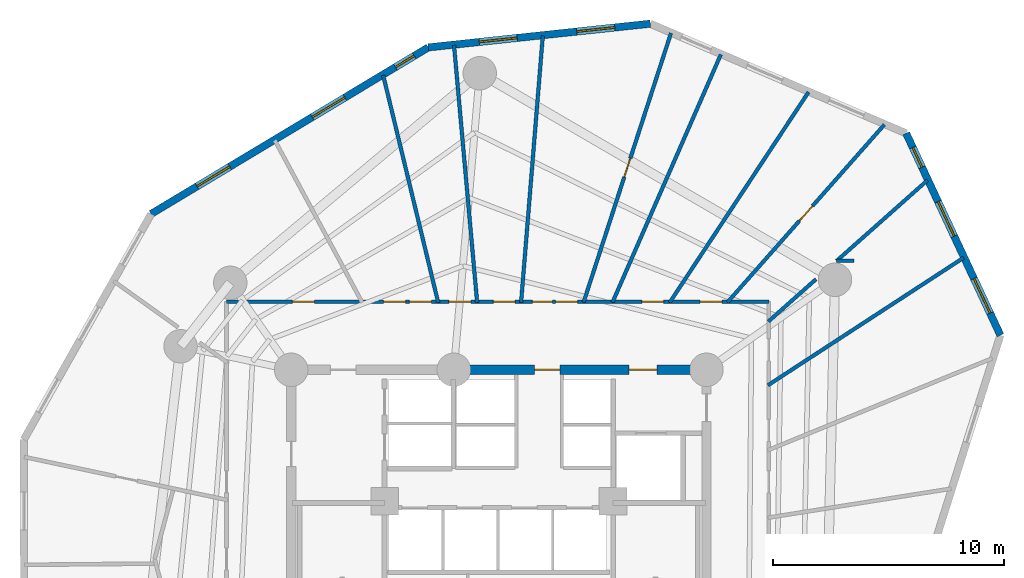
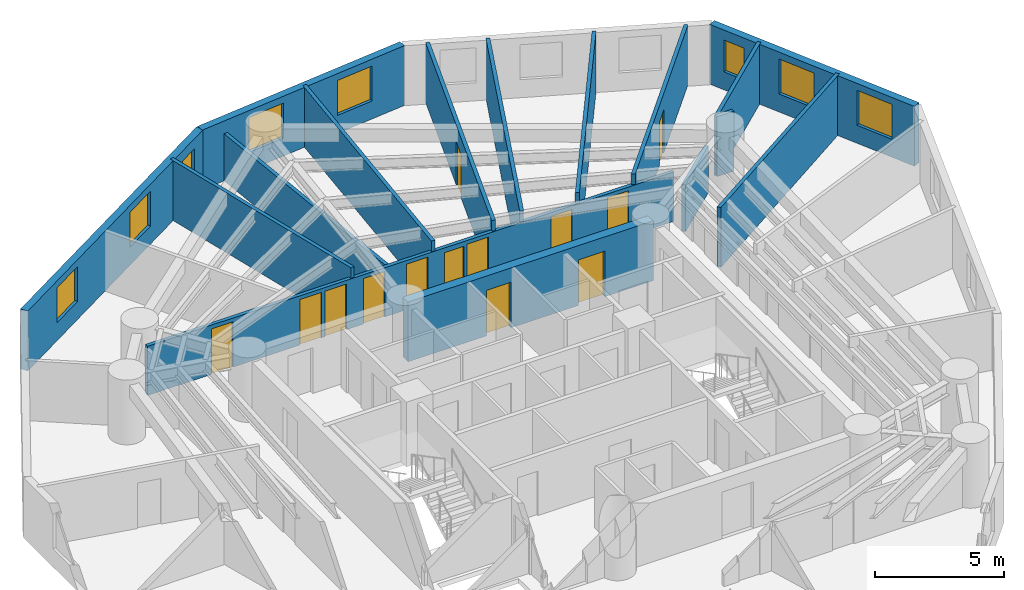
# One storey, part 6 of 8: 16 walls, 13 doors, 8 windows, 21 openings.
"""IFC4 building model written with IfcOpenShell, lengths in metres."""

import ifcopenshell
import ifcopenshell.guid

model = None  # the IFC model being written
_history = None  # IfcOwnerHistory: only IFC2X3 demands one
_inside = {}  # id of a spatial element -> (the spatial element, [elements in it])
_under = {}  # id of a project, library or spatial element -> (it, [spatial elements below it])
_declared = {}  # id of a project -> (the project, [libraries it declares])
_typed = {}  # id of a type object -> (the type object, [elements of that type])
_made_of = {}  # id of a material, layer set ... -> (it, [elements and type objects made of it])


def new_model(schema):
    """Start an empty IFC model of exactly this schema.

    Asked for "IFC4X3", IfcOpenShell would pick the latest addendum, in which some entities
    have other attributes; the version numbers below select the first issue.
    IFC2X3 requires an IfcOwnerHistory on every rooted entity: one is made here for all.
    """
    global model, _history
    if schema == "IFC4X3":
        model = ifcopenshell.file(schema_version=(4, 3, 0, 0))
    else:
        model = ifcopenshell.file(schema=schema)
    _inside.clear()
    _under.clear()
    _declared.clear()
    _typed.clear()
    _made_of.clear()
    _history = None
    if model.schema == "IFC2X3":
        org = make("IfcOrganization", Name="unknown")
        user = make(
            "IfcPersonAndOrganization",
            ThePerson=make("IfcPerson", FamilyName="unknown"),
            TheOrganization=org,
        )
        app = make(
            "IfcApplication",
            ApplicationDeveloper=org,
            Version="unknown",
            ApplicationFullName="unknown",
            ApplicationIdentifier="unknown",
        )
        _history = make(
            "IfcOwnerHistory",
            OwningUser=user,
            OwningApplication=app,
            ChangeAction="ADDED",
            CreationDate=0,
        )
    return model


def make(cls, **values):
    """One entity of the class cls with the attributes given. An attribute that is None is left unset."""
    return model.create_entity(
        cls, **{name: value for name, value in values.items() if value is not None}
    )


def rooted(cls, **values):
    """An entity with a GlobalId (a new one), such as an element, a storey or a relation."""
    return make(cls, GlobalId=ifcopenshell.guid.new(), OwnerHistory=_history, **values)


def si_unit(unit_type, name, prefix=None):
    """IfcSIUnit, for example si_unit("LENGTHUNIT", "METRE", prefix="MILLI")."""
    return make("IfcSIUnit", UnitType=unit_type, Prefix=prefix, Name=name)


def assignment(units):
    """IfcUnitAssignment: the units of a project."""
    return None if units is None else make("IfcUnitAssignment", Units=units)


def point(xyz):
    """IfcCartesianPoint."""
    return None if xyz is None else make("IfcCartesianPoint", Coordinates=xyz)


def direction(xyz):
    """IfcDirection."""
    return None if xyz is None else make("IfcDirection", DirectionRatios=xyz)


def frame(location, z_axis=None, x_axis=None):
    """IfcAxis2Placement3D, a coordinate frame: its origin and axes. An axis left out is left unset."""
    return make(
        "IfcAxis2Placement3D",
        Location=point(location),
        Axis=direction(z_axis),
        RefDirection=direction(x_axis),
    )


def frame_2d(location, x_axis=None):
    """IfcAxis2Placement2D, a coordinate frame in the plane: its origin and x axis."""
    return make(
        "IfcAxis2Placement2D", Location=point(location), RefDirection=direction(x_axis)
    )


def origin():
    """The frame at (0, 0, 0) with its axes left unset."""
    return frame((0.0, 0.0, 0.0))


def origin_with_axes():
    """The frame at (0, 0, 0) with the z axis (0, 0, 1) and the x axis (1, 0, 0) written out."""
    return frame((0.0, 0.0, 0.0), z_axis=(0.0, 0.0, 1.0), x_axis=(1.0, 0.0, 0.0))


def place(relative_to, where):
    """IfcLocalPlacement: puts the frame where relative to a parent placement (None: the world)."""
    return make(
        "IfcLocalPlacement", PlacementRelTo=relative_to, RelativePlacement=where
    )


def context(
    kind, dimensions, precision=None, world=None, true_north=None, identifier=None
):
    """IfcGeometricRepresentationContext, for example the 3D "Model" context."""
    return make(
        "IfcGeometricRepresentationContext",
        ContextIdentifier=identifier,
        ContextType=kind,
        CoordinateSpaceDimension=dimensions,
        Precision=precision,
        WorldCoordinateSystem=world,
        TrueNorth=true_north,
    )


def subcontext(parent, identifier, kind, view, scale=None):
    """IfcGeometricRepresentationSubContext, for example "Body" below "Model"."""
    return make(
        "IfcGeometricRepresentationSubContext",
        ContextIdentifier=identifier,
        ContextType=kind,
        ParentContext=parent,
        TargetScale=scale,
        TargetView=view,
    )


def project(units=None, contexts=None):
    """IfcProject with its units and contexts."""
    return rooted(
        "IfcProject",
        Name="project",
        RepresentationContexts=contexts,
        UnitsInContext=assignment(units),
    )


def spatial(cls, under=None, at=None, **own):
    """A site, building, storey or space (cls), placed at a placement, below another one or the project."""
    s = rooted(cls, ObjectPlacement=at, **own)
    if under is not None:
        _under.setdefault(under.id(), (under, []))[1].append(s)
    return s


def profile(cls, at=None, kind="AREA", **sizes):
    """A parametric profile (cls). Its sizes go by their IFC names, for example OverallWidth=200.0."""
    return make(cls, ProfileType=kind, Position=at, **sizes)


def rectangle(**sizes):
    """IfcRectangleProfileDef."""
    return profile("IfcRectangleProfileDef", **sizes)


def extrude(swept, where, along, depth):
    """IfcExtrudedAreaSolid: the profile swept, set in the frame where, extruded along a direction by depth."""
    return make(
        "IfcExtrudedAreaSolid",
        SweptArea=swept,
        Position=where,
        ExtrudedDirection=direction(along),
        Depth=depth,
    )


def shape(context_of_items, identifier, shape_type, items):
    """IfcShapeRepresentation: the items that make up one representation, for example the "Body"."""
    return make(
        "IfcShapeRepresentation",
        ContextOfItems=context_of_items,
        RepresentationIdentifier=identifier,
        RepresentationType=shape_type,
        Items=items,
    )


def source(mapping_origin, context_of_items, identifier, shape_type, items):
    """IfcRepresentationMap: a shape defined once, which mapped items show again and again."""
    return make(
        "IfcRepresentationMap",
        MappingOrigin=mapping_origin,
        MappedRepresentation=shape(context_of_items, identifier, shape_type, items),
    )


def transform(
    local_origin,
    x_axis=None,
    y_axis=None,
    z_axis=None,
    scale=None,
    scale2=None,
    scale3=None,
    uniform=True,
):
    """IfcCartesianTransformationOperator3D, or its non-uniform kind. x_axis, y_axis, z_axis: its Axis1, 2, 3."""
    if uniform:
        return make(
            "IfcCartesianTransformationOperator3D",
            Axis1=direction(x_axis),
            Axis2=direction(y_axis),
            LocalOrigin=point(local_origin),
            Scale=scale,
            Axis3=direction(z_axis),
        )
    return make(
        "IfcCartesianTransformationOperator3DnonUniform",
        Axis1=direction(x_axis),
        Axis2=direction(y_axis),
        LocalOrigin=point(local_origin),
        Scale=scale,
        Axis3=direction(z_axis),
        Scale2=scale2,
        Scale3=scale3,
    )


def mapped(mapping_source, mapping_target):
    """IfcMappedItem: shows the shape of a source again, moved by a transform."""
    return make(
        "IfcMappedItem", MappingSource=mapping_source, MappingTarget=mapping_target
    )


def material(Name=None, Category=None):
    """IfcMaterial."""
    return make("IfcMaterial", Name=Name, Category=Category)


def layer(
    of_material, thickness, ventilated=None, Name=None, Category=None, Priority=None
):
    """IfcMaterialLayer: one layer of a wall or slab, of a material (None: an air gap)."""
    return make(
        "IfcMaterialLayer",
        Material=of_material,
        LayerThickness=thickness,
        IsVentilated=ventilated,
        Name=Name,
        Category=Category,
        Priority=Priority,
    )


def layer_set(layers, Name=None):
    """IfcMaterialLayerSet."""
    return make("IfcMaterialLayerSet", MaterialLayers=layers, LayerSetName=Name)


def made_of(thing, what):
    """Note that an element or type object is made of a material, layer set ...; save() writes the relation."""
    if what is not None:
        _made_of.setdefault(what.id(), (what, []))[1].append(thing)
    return thing


def type_object(cls, material=None, **own):
    """A type object (cls), such as IfcWallType, which elements share."""
    return made_of(rooted(cls, **own), material)


def element(
    cls,
    number,
    at=None,
    inside=None,
    cuts=None,
    type_object=None,
    material=None,
    context=None,
    identifier="Body",
    shape_type=None,
    held_by="IfcProductDefinitionShape",
    body=None,
    shapes=None,
    **own,
):
    """One element of the class cls, such as IfcWall. Its Tag is "e" and its number.

    at: its placement. inside: the storey or other place that contains it. cuts: it is an
    opening in that element (IfcRelVoidsElement). A single representation is given by context,
    identifier, shape_type and body (its items); several are given by shapes. held_by: the class
    of the entity that holds the representations. save() writes the other relations.
    """
    e = rooted(cls, Tag="e%d" % number, ObjectPlacement=at, **own)
    if body is not None:
        shapes = [shape(context, identifier, shape_type, body)]
    if shapes is not None:
        e.Representation = make(held_by, Representations=shapes)
    if inside is not None:
        _inside.setdefault(inside.id(), (inside, []))[1].append(e)
    if cuts is not None:
        rooted(
            "IfcRelVoidsElement", RelatingBuildingElement=cuts, RelatedOpeningElement=e
        )
    if type_object is not None:
        _typed.setdefault(type_object.id(), (type_object, []))[1].append(e)
    return made_of(e, material)


def fill(opening, filler):
    """IfcRelFillsElement: the door or window that sits in an opening."""
    return rooted(
        "IfcRelFillsElement",
        RelatingOpeningElement=opening,
        RelatedBuildingElement=filler,
    )


def aggregate(whole, parts):
    """IfcRelAggregates: a whole, such as a stair, and the parts it consists of."""
    return rooted("IfcRelAggregates", RelatingObject=whole, RelatedObjects=parts)


def save(model, path):
    """Write the relations noted so far, then the file.

    IfcRelAggregates (storeys below a building ...), IfcRelContainedInSpatialStructure (elements
    in a storey), IfcRelDefinesByType, IfcRelAssociatesMaterial and IfcRelDeclares: one each for
    every whole, place, type object, material and project.
    """
    for whole, parts in _under.values():
        aggregate(whole, parts)
    for where, things in _inside.values():
        rooted(
            "IfcRelContainedInSpatialStructure",
            RelatedElements=things,
            RelatingStructure=where,
        )
    for kind, things in _typed.values():
        rooted("IfcRelDefinesByType", RelatedObjects=things, RelatingType=kind)
    for what, things in _made_of.values():
        rooted("IfcRelAssociatesMaterial", RelatedObjects=things, RelatingMaterial=what)
    for by, libraries in _declared.values():
        rooted("IfcRelDeclares", RelatingContext=by, RelatedDefinitions=libraries)
    model.write(path)


model = new_model("IFC4")

# Units and contexts
model_context = context("Model", 3, precision=1e-05, world=origin(), true_north=direction((0.0, 1.0)))
body_context = subcontext(model_context, "Body", "Model", "MODEL_VIEW")
ifc_project = project(units=[si_unit("LENGTHUNIT", "METRE"), si_unit("AREAUNIT", "SQUARE_METRE"), si_unit("VOLUMEUNIT", "CUBIC_METRE"), si_unit("PLANEANGLEUNIT", "RADIAN"), si_unit("MASSUNIT", "GRAM", prefix="KILO")], contexts=[model_context])

# Site, building, storey
site_placement = place(None, origin())
site = spatial("IfcSite", under=ifc_project, at=site_placement, CompositionType="ELEMENT")
building_placement = place(site_placement, origin())
building = spatial("IfcBuilding", under=site, at=building_placement, Name="Karkom Vertical University and Central Library", CompositionType="ELEMENT")
storey_placement = place(building_placement, frame((0.0, 0.0, 114.5)))
storey = spatial("IfcBuildingStorey", under=building, at=storey_placement, Name="L31", CompositionType="ELEMENT", Elevation=114.5)

# Wall, openings, windows
ifc_material_1 = material(Name="Brick-faced precast concrete C45/55", Category="masonry")
ifc_layer_1 = layer(ifc_material_1, 0.320068359375)
ifc_layer_set_1 = layer_set([ifc_layer_1], Name="Brick-faced precast concrete C45/55")
wall_type_1 = type_object("IfcWallType", Name="ENV-WL-BRK-320", PredefinedType="SOLIDWALL", material=ifc_layer_set_1)
wall_1_placement = place(storey_placement, frame((50.241455078125, 36.195556640625, 0.0), z_axis=(0.0, 0.0, 1.0), x_axis=(-0.422965695065, 0.906145695127, 0.0)))
wall_1 = element("IfcWall", 1, at=wall_1_placement, inside=storey, type_object=wall_type_1, Name="Level 31 Brick-Faced Precast Facade Wall 09", PredefinedType="SOLIDWALL", context=body_context, shape_type="SweptSolid", body=[
    extrude(rectangle(XDim=9.661865234375, YDim=0.320068359375, at=frame_2d((4.8310546875, 0.0))), origin(), (0.0, 0.0, 1.0), 2.824951171875),
])
opening_1_placement = place(wall_1_placement, frame((1.062744140625, 0.0, 0.85009765625)))
opening_1 = element("IfcOpeningElement", 2, at=opening_1_placement, cuts=wall_1, Name="Opening WN-06", PredefinedType="OPENING", context=body_context, shape_type="SweptSolid", body=[
    extrude(rectangle(XDim=1.64990234375, YDim=1.64990234375, at=frame_2d((0.824951171875, 0.824951171875))), frame((0.0, 0.169921875, 0.0), z_axis=(0.0, -1.0, 0.0), x_axis=(1.0, 0.0, 0.0)), (0.0, 0.0, 1.0), 0.340087890625),
])
opening_2_placement = place(wall_1_placement, frame((4.739990234375, 0.0, 0.85009765625)))
opening_2 = element("IfcOpeningElement", 3, at=opening_2_placement, cuts=wall_1, Name="Opening WN-06", PredefinedType="OPENING", context=body_context, shape_type="SweptSolid", body=[
    extrude(rectangle(XDim=1.64990234375, YDim=1.64990234375, at=frame_2d((0.824951171875, 0.824951171875))), frame((0.0, 0.169921875, 0.0), z_axis=(0.0, -1.0, 0.0), x_axis=(1.0, 0.0, 0.0)), (0.0, 0.0, 1.0), 0.340087890625),
])
opening_3_placement = place(wall_1_placement, frame((8.033203125, 0.0, 0.85009765625)))
opening_3 = element("IfcOpeningElement", 4, at=opening_3_placement, cuts=wall_1, Name="Opening WN-12", PredefinedType="OPENING", context=body_context, shape_type="SweptSolid", body=[
    extrude(rectangle(XDim=0.949951171875, YDim=1.5, at=frame_2d((0.47509765625, 0.75))), frame((0.0, 0.169921875, 0.0), z_axis=(0.0, -1.0, 0.0), x_axis=(1.0, 0.0, 0.0)), (0.0, 0.0, 1.0), 0.340087890625),
])
ifc_material_2 = material(Name="Aluminium thermal-break frame with solar-control IGU", Category="aluminium")
window_type_1 = type_object("IfcWindowType", Name="ENV-WIN-WN-06", PartitioningType="SINGLE_PANEL", PredefinedType="WINDOW", material=ifc_material_2)
shared_shape_1 = source(origin_with_axes(), body_context, "Body", "SweptSolid", [
    extrude(rectangle(XDim=1.64990234375, YDim=1.64990234375, at=frame_2d((0.824951171875, 0.824951171875))), frame((0.0, 0.030029296875, 0.0), z_axis=(0.0, -1.0, 0.0), x_axis=(1.0, 0.0, 0.0)), (0.0, 0.0, 1.0), 0.06005859375),
])
window_1_placement = place(opening_1_placement, origin())
window_1 = element("IfcWindow", 5, at=window_1_placement, inside=storey, type_object=window_type_1, Name="Level 31 Punched Window 9.1", OverallHeight=1.64990234375, OverallWidth=1.64990234375, PartitioningType="SINGLE_PANEL", PredefinedType="WINDOW", context=body_context, shape_type="MappedRepresentation", body=[
    mapped(shared_shape_1, transform((0.0, 0.0, 0.0), scale=1.0)),
])
fill(opening_1, window_1)
window_2_placement = place(opening_2_placement, origin())
window_2 = element("IfcWindow", 6, at=window_2_placement, inside=storey, type_object=window_type_1, Name="Level 31 Punched Window 9.2", OverallHeight=1.64990234375, OverallWidth=1.64990234375, PartitioningType="SINGLE_PANEL", PredefinedType="WINDOW", context=body_context, shape_type="MappedRepresentation", body=[
    mapped(shared_shape_1, transform((0.0, 0.0, 0.0), scale=1.0)),
])
fill(opening_2, window_2)
window_type_2 = type_object("IfcWindowType", Name="ENV-WIN-WN-12", PartitioningType="SINGLE_PANEL", PredefinedType="WINDOW", material=ifc_material_2)
shared_shape_2 = source(origin_with_axes(), body_context, "Body", "SweptSolid", [
    extrude(rectangle(XDim=0.949951171875, YDim=1.5, at=frame_2d((0.47509765625, 0.75))), frame((0.0, 0.030029296875, 0.0), z_axis=(0.0, -1.0, 0.0), x_axis=(1.0, 0.0, 0.0)), (0.0, 0.0, 1.0), 0.06005859375),
])
window_3_placement = place(opening_3_placement, origin())
window_3 = element("IfcWindow", 7, at=window_3_placement, inside=storey, type_object=window_type_2, Name="Level 31 Punched Window 9.3", OverallHeight=1.5, OverallWidth=0.949951171875, PartitioningType="SINGLE_PANEL", PredefinedType="WINDOW", context=body_context, shape_type="MappedRepresentation", body=[
    mapped(shared_shape_2, transform((0.0, 0.0, 0.0), scale=1.0)),
])
fill(opening_3, window_3)

wall_2_placement = place(storey_placement, frame((35.068603515625, 49.69921875, 0.0), z_axis=(0.0, 0.0, 1.0), x_axis=(-0.994341635486, -0.106229524795, 0.0)))
wall_2 = element("IfcWall", 8, at=wall_2_placement, inside=storey, type_object=wall_type_1, Name="Level 31 Brick-Faced Precast Facade Wall 11", PredefinedType="SOLIDWALL", context=body_context, shape_type="SweptSolid", body=[
    extrude(rectangle(XDim=9.682373046875, YDim=0.320068359375, at=frame_2d((4.84130859375, 0.0))), origin(), (0.0, 0.0, 1.0), 2.824951171875),
])
opening_4_placement = place(wall_2_placement, frame((1.553955078125, 0.0, 0.85009765625)))
opening_4 = element("IfcOpeningElement", 9, at=opening_4_placement, cuts=wall_2, Name="Opening WN-06", PredefinedType="OPENING", context=body_context, shape_type="SweptSolid", body=[
    extrude(rectangle(XDim=1.64990234375, YDim=1.64990234375, at=frame_2d((0.824951171875, 0.824951171875))), frame((0.0, 0.169921875, 0.0), z_axis=(0.0, -1.0, 0.0), x_axis=(1.0, 0.0, 0.0)), (0.0, 0.0, 1.0), 0.340087890625),
])
opening_5_placement = place(wall_2_placement, frame((5.8046875, 0.0, 0.85009765625)))
opening_5 = element("IfcOpeningElement", 10, at=opening_5_placement, cuts=wall_2, Name="Opening WN-06", PredefinedType="OPENING", context=body_context, shape_type="SweptSolid", body=[
    extrude(rectangle(XDim=1.64990234375, YDim=1.64990234375, at=frame_2d((0.824951171875, 0.824951171875))), frame((0.0, 0.169921875, 0.0), z_axis=(0.0, -1.0, 0.0), x_axis=(1.0, 0.0, 0.0)), (0.0, 0.0, 1.0), 0.340087890625),
])
window_4_placement = place(opening_4_placement, origin())
window_4 = element("IfcWindow", 11, at=window_4_placement, inside=storey, type_object=window_type_1, Name="Level 31 Punched Window 11.1", OverallHeight=1.64990234375, OverallWidth=1.64990234375, PartitioningType="SINGLE_PANEL", PredefinedType="WINDOW", context=body_context, shape_type="MappedRepresentation", body=[
    mapped(shared_shape_1, transform((0.0, 0.0, 0.0), scale=1.0)),
])
fill(opening_4, window_4)
window_5_placement = place(opening_5_placement, origin())
window_5 = element("IfcWindow", 12, at=window_5_placement, inside=storey, type_object=window_type_1, Name="Level 31 Punched Window 11.2", OverallHeight=1.64990234375, OverallWidth=1.64990234375, PartitioningType="SINGLE_PANEL", PredefinedType="WINDOW", context=body_context, shape_type="MappedRepresentation", body=[
    mapped(shared_shape_1, transform((0.0, 0.0, 0.0), scale=1.0)),
])
fill(opening_5, window_5)

wall_3_placement = place(storey_placement, frame((25.44091796875, 48.670654296875, 0.0), z_axis=(0.0, 0.0, 1.0), x_axis=(-0.85720069977, -0.514982485443, 0.0)))
wall_3 = element("IfcWall", 13, at=wall_3_placement, inside=storey, type_object=wall_type_1, Name="Level 31 Brick-Faced Precast Facade Wall 12", PredefinedType="SOLIDWALL", context=body_context, shape_type="SweptSolid", body=[
    extrude(rectangle(XDim=14.0126953125, YDim=0.320068359375, at=frame_2d((7.00634765625, 0.0))), origin(), (0.0, 0.0, 1.0), 2.824951171875),
])
opening_6_placement = place(wall_3_placement, frame((0.70751953125, 0.0, 0.85009765625)))
opening_6 = element("IfcOpeningElement", 14, at=opening_6_placement, cuts=wall_3, Name="Opening WN-12", PredefinedType="OPENING", context=body_context, shape_type="SweptSolid", body=[
    extrude(rectangle(XDim=0.949951171875, YDim=1.5, at=frame_2d((0.47509765625, 0.75))), frame((0.0, 0.169921875, 0.0), z_axis=(0.0, -1.0, 0.0), x_axis=(1.0, 0.0, 0.0)), (0.0, 0.0, 1.0), 0.340087890625),
])
opening_7_placement = place(wall_3_placement, frame((4.21484375, 0.0, 0.85009765625)))
opening_7 = element("IfcOpeningElement", 15, at=opening_7_placement, cuts=wall_3, Name="Opening WN-06", PredefinedType="OPENING", context=body_context, shape_type="SweptSolid", body=[
    extrude(rectangle(XDim=1.64990234375, YDim=1.64990234375, at=frame_2d((0.824951171875, 0.824951171875))), frame((0.0, 0.169921875, 0.0), z_axis=(0.0, -1.0, 0.0), x_axis=(1.0, 0.0, 0.0)), (0.0, 0.0, 1.0), 0.340087890625),
])
opening_8_placement = place(wall_3_placement, frame((10.038818359375, 0.0, 0.85009765625)))
opening_8 = element("IfcOpeningElement", 16, at=opening_8_placement, cuts=wall_3, Name="Opening WN-06", PredefinedType="OPENING", context=body_context, shape_type="SweptSolid", body=[
    extrude(rectangle(XDim=1.64990234375, YDim=1.64990234375, at=frame_2d((0.824951171875, 0.824951171875))), frame((0.0, 0.169921875, 0.0), z_axis=(0.0, -1.0, 0.0), x_axis=(1.0, 0.0, 0.0)), (0.0, 0.0, 1.0), 0.340087890625),
])
window_6_placement = place(opening_7_placement, origin())
window_6 = element("IfcWindow", 17, at=window_6_placement, inside=storey, type_object=window_type_1, Name="Level 31 Punched Window 12.2", OverallHeight=1.64990234375, OverallWidth=1.64990234375, PartitioningType="SINGLE_PANEL", PredefinedType="WINDOW", context=body_context, shape_type="MappedRepresentation", body=[
    mapped(shared_shape_1, transform((0.0, 0.0, 0.0), scale=1.0)),
])
fill(opening_7, window_6)
window_7_placement = place(opening_8_placement, origin())
window_7 = element("IfcWindow", 18, at=window_7_placement, inside=storey, type_object=window_type_1, Name="Level 31 Punched Window 12.3", OverallHeight=1.64990234375, OverallWidth=1.64990234375, PartitioningType="SINGLE_PANEL", PredefinedType="WINDOW", context=body_context, shape_type="MappedRepresentation", body=[
    mapped(shared_shape_1, transform((0.0, 0.0, 0.0), scale=1.0)),
])
fill(opening_8, window_7)
window_8_placement = place(opening_6_placement, origin())
window_8 = element("IfcWindow", 19, at=window_8_placement, inside=storey, type_object=window_type_2, Name="Level 31 Punched Window 12.1", OverallHeight=1.5, OverallWidth=0.949951171875, PartitioningType="SINGLE_PANEL", PredefinedType="WINDOW", context=body_context, shape_type="MappedRepresentation", body=[
    mapped(shared_shape_2, transform((0.0, 0.0, 0.0), scale=1.0)),
])
fill(opening_6, window_8)

# Wall, openings, doors
ifc_material_3 = material(Name="Insulated metal-stud drywall 160mm", Category="gypsum")
ifc_layer_2 = layer(ifc_material_3, 0.159912109375)
ifc_layer_set_2 = layer_set([ifc_layer_2], Name="Insulated metal-stud drywall 160mm")
wall_type_2 = type_object("IfcWallType", Name="INT-WL-COR-160", PredefinedType="PARTITIONING", material=ifc_layer_set_2)
wall_4_placement = place(storey_placement, frame((16.699951171875, 37.64990234375, 0.0), z_axis=(0.0, 0.0, 1.0), x_axis=(1.0, 0.0, 0.0)))
wall_4 = element("IfcWall", 20, at=wall_4_placement, inside=storey, type_object=wall_type_2, Name="Level 31 Interior Partition Wall L31-CORW-CW-003", PredefinedType="PARTITIONING", context=body_context, shape_type="SweptSolid", body=[
    extrude(rectangle(XDim=23.5, YDim=0.159912109375, at=frame_2d((11.75, 0.0))), origin(), (0.0, 0.0, 1.0), 2.324951171875),
])
opening_9_placement = place(wall_4_placement, frame((20.52587890625, 0.0, 0.0)))
opening_9 = element("IfcOpeningElement", 21, at=opening_9_placement, cuts=wall_4, Name="Opening D-RM1", PredefinedType="OPENING", context=body_context, shape_type="SweptSolid", body=[
    extrude(rectangle(XDim=0.949951171875, YDim=2.14990234375, at=frame_2d((0.47509765625, 1.074951171875))), frame((0.0, 0.08984375, 0.0), z_axis=(0.0, -1.0, 0.0), x_axis=(1.0, 0.0, 0.0)), (0.0, 0.0, 1.0), 0.179931640625),
])
opening_10_placement = place(wall_4_placement, frame((17.99658203125, 0.0, 0.0)))
opening_10 = element("IfcOpeningElement", 22, at=opening_10_placement, cuts=wall_4, Name="Opening D-RM1", PredefinedType="OPENING", context=body_context, shape_type="SweptSolid", body=[
    extrude(rectangle(XDim=0.949951171875, YDim=2.14990234375, at=frame_2d((0.47509765625, 1.074951171875))), frame((0.0, 0.08984375, 0.0), z_axis=(0.0, -1.0, 0.0), x_axis=(1.0, 0.0, 0.0)), (0.0, 0.0, 1.0), 0.179931640625),
])
opening_11_placement = place(wall_4_placement, frame((14.260009765625, 0.0, 0.0)))
opening_11 = element("IfcOpeningElement", 23, at=opening_11_placement, cuts=wall_4, Name="Opening D-RM1", PredefinedType="OPENING", context=body_context, shape_type="SweptSolid", body=[
    extrude(rectangle(XDim=0.949951171875, YDim=2.14990234375, at=frame_2d((0.47509765625, 1.074951171875))), frame((0.0, 0.08984375, 0.0), z_axis=(0.0, -1.0, 0.0), x_axis=(1.0, 0.0, 0.0)), (0.0, 0.0, 1.0), 0.179931640625),
])
opening_12_placement = place(wall_4_placement, frame((13.256103515625, 0.0, 0.0)))
opening_12 = element("IfcOpeningElement", 24, at=opening_12_placement, cuts=wall_4, Name="Opening D-BATH", PredefinedType="OPENING", context=body_context, shape_type="SweptSolid", body=[
    extrude(rectangle(XDim=0.860107421875, YDim=2.10009765625, at=frame_2d((0.43017578125, 1.050048828125))), frame((0.0, 0.08984375, 0.0), z_axis=(0.0, -1.0, 0.0), x_axis=(1.0, 0.0, 0.0)), (0.0, 0.0, 1.0), 0.179931640625),
])
opening_13_placement = place(wall_4_placement, frame((11.56005859375, 0.0, 0.0)))
opening_13 = element("IfcOpeningElement", 25, at=opening_13_placement, cuts=wall_4, Name="Opening D-RM1", PredefinedType="OPENING", context=body_context, shape_type="SweptSolid", body=[
    extrude(rectangle(XDim=0.949951171875, YDim=2.14990234375, at=frame_2d((0.47509765625, 1.074951171875))), frame((0.0, 0.08984375, 0.0), z_axis=(0.0, -1.0, 0.0), x_axis=(1.0, 0.0, 0.0)), (0.0, 0.0, 1.0), 0.179931640625),
])
opening_14_placement = place(wall_4_placement, frame((9.635009765625, 0.0, 0.0)))
opening_14 = element("IfcOpeningElement", 26, at=opening_14_placement, cuts=wall_4, Name="Opening D-RM1", PredefinedType="OPENING", context=body_context, shape_type="SweptSolid", body=[
    extrude(rectangle(XDim=0.949951171875, YDim=2.14990234375, at=frame_2d((0.47509765625, 1.074951171875))), frame((0.0, 0.08984375, 0.0), z_axis=(0.0, -1.0, 0.0), x_axis=(1.0, 0.0, 0.0)), (0.0, 0.0, 1.0), 0.179931640625),
])
opening_15_placement = place(wall_4_placement, frame((7.92236328125, 0.0, 0.0)))
opening_15 = element("IfcOpeningElement", 27, at=opening_15_placement, cuts=wall_4, Name="Opening D-RM1", PredefinedType="OPENING", context=body_context, shape_type="SweptSolid", body=[
    extrude(rectangle(XDim=0.949951171875, YDim=2.14990234375, at=frame_2d((0.47509765625, 1.074951171875))), frame((0.0, 0.08984375, 0.0), z_axis=(0.0, -1.0, 0.0), x_axis=(1.0, 0.0, 0.0)), (0.0, 0.0, 1.0), 0.179931640625),
])
opening_16_placement = place(wall_4_placement, frame((6.81005859375, 0.0, 0.0)))
opening_16 = element("IfcOpeningElement", 28, at=opening_16_placement, cuts=wall_4, Name="Opening D-RM1", PredefinedType="OPENING", context=body_context, shape_type="SweptSolid", body=[
    extrude(rectangle(XDim=0.949951171875, YDim=2.14990234375, at=frame_2d((0.47509765625, 1.074951171875))), frame((0.0, 0.08984375, 0.0), z_axis=(0.0, -1.0, 0.0), x_axis=(1.0, 0.0, 0.0)), (0.0, 0.0, 1.0), 0.179931640625),
])
opening_17_placement = place(wall_4_placement, frame((2.8564453125, 0.0, 0.0)))
opening_17 = element("IfcOpeningElement", 29, at=opening_17_placement, cuts=wall_4, Name="Opening D-RM1", PredefinedType="OPENING", context=body_context, shape_type="SweptSolid", body=[
    extrude(rectangle(XDim=0.949951171875, YDim=2.14990234375, at=frame_2d((0.47509765625, 1.074951171875))), frame((0.0, 0.08984375, 0.0), z_axis=(0.0, -1.0, 0.0), x_axis=(1.0, 0.0, 0.0)), (0.0, 0.0, 1.0), 0.179931640625),
])
ifc_material_4 = material(Name="Moisture-resistant oak door", Category="wood")
door_type_1 = type_object("IfcDoorType", Name="INT-DR-BATH", OperationType="NOTDEFINED", PredefinedType="DOOR", material=ifc_material_4)
shared_shape_3 = source(origin_with_axes(), body_context, "Body", "SweptSolid", [
    extrude(rectangle(XDim=0.860107421875, YDim=2.10009765625, at=frame_2d((0.43017578125, 1.050048828125))), frame((0.0, 0.02490234375, 0.0), z_axis=(0.0, -1.0, 0.0), x_axis=(1.0, 0.0, 0.0)), (0.0, 0.0, 1.0), 0.050048828125),
])
door_1_placement = place(opening_12_placement, origin())
door_1 = element("IfcDoor", 30, at=door_1_placement, inside=storey, type_object=door_type_1, Name="Level 31 Room Entry Door 200", OperationType="SINGLE_SWING_RIGHT", OverallHeight=2.10009765625, OverallWidth=0.860107421875, PredefinedType="DOOR", context=body_context, shape_type="MappedRepresentation", body=[
    mapped(shared_shape_3, transform((0.0, 0.0, 0.0), scale=1.0)),
])
fill(opening_12, door_1)
ifc_material_5 = material(Name="Solid-core oak veneer door", Category="wood")
door_type_2 = type_object("IfcDoorType", Name="INT-DR-RM1", OperationType="NOTDEFINED", PredefinedType="DOOR", material=ifc_material_5)
shared_shape_4 = source(origin_with_axes(), body_context, "Body", "SweptSolid", [
    extrude(rectangle(XDim=0.949951171875, YDim=2.14990234375, at=frame_2d((0.47509765625, 1.074951171875))), frame((0.0, 0.02490234375, 0.0), z_axis=(0.0, -1.0, 0.0), x_axis=(1.0, 0.0, 0.0)), (0.0, 0.0, 1.0), 0.050048828125),
])
door_2_placement = place(opening_9_placement, origin())
door_2 = element("IfcDoor", 31, at=door_2_placement, inside=storey, type_object=door_type_2, Name="Level 31 Room Entry Door 170", OperationType="SINGLE_SWING_LEFT", OverallHeight=2.14990234375, OverallWidth=0.949951171875, PredefinedType="DOOR", context=body_context, shape_type="MappedRepresentation", body=[
    mapped(shared_shape_4, transform((0.0, 0.0, 0.0), scale=1.0)),
])
fill(opening_9, door_2)
door_3_placement = place(opening_10_placement, origin())
door_3 = element("IfcDoor", 32, at=door_3_placement, inside=storey, type_object=door_type_2, Name="Level 31 Room Entry Door 180", OperationType="SINGLE_SWING_RIGHT", OverallHeight=2.14990234375, OverallWidth=0.949951171875, PredefinedType="DOOR", context=body_context, shape_type="MappedRepresentation", body=[
    mapped(shared_shape_4, transform((0.0, 0.0, 0.0), scale=1.0)),
])
fill(opening_10, door_3)
door_4_placement = place(opening_11_placement, origin())
door_4 = element("IfcDoor", 33, at=door_4_placement, inside=storey, type_object=door_type_2, Name="Level 31 Room Entry Door 190", OperationType="SINGLE_SWING_LEFT", OverallHeight=2.14990234375, OverallWidth=0.949951171875, PredefinedType="DOOR", context=body_context, shape_type="MappedRepresentation", body=[
    mapped(shared_shape_4, transform((0.0, 0.0, 0.0), scale=1.0)),
])
fill(opening_11, door_4)
door_5_placement = place(opening_13_placement, origin())
door_5 = element("IfcDoor", 34, at=door_5_placement, inside=storey, type_object=door_type_2, Name="Level 31 Room Entry Door 210", OperationType="SINGLE_SWING_LEFT", OverallHeight=2.14990234375, OverallWidth=0.949951171875, PredefinedType="DOOR", context=body_context, shape_type="MappedRepresentation", body=[
    mapped(shared_shape_4, transform((0.0, 0.0, 0.0), scale=1.0)),
])
fill(opening_13, door_5)
door_6_placement = place(opening_14_placement, origin())
door_6 = element("IfcDoor", 35, at=door_6_placement, inside=storey, type_object=door_type_2, Name="Level 31 Room Entry Door 220", OperationType="SINGLE_SWING_RIGHT", OverallHeight=2.14990234375, OverallWidth=0.949951171875, PredefinedType="DOOR", context=body_context, shape_type="MappedRepresentation", body=[
    mapped(shared_shape_4, transform((0.0, 0.0, 0.0), scale=1.0)),
])
fill(opening_14, door_6)
door_7_placement = place(opening_15_placement, origin())
door_7 = element("IfcDoor", 36, at=door_7_placement, inside=storey, type_object=door_type_2, Name="Level 31 Room Entry Door 230", OperationType="SINGLE_SWING_LEFT", OverallHeight=2.14990234375, OverallWidth=0.949951171875, PredefinedType="DOOR", context=body_context, shape_type="MappedRepresentation", body=[
    mapped(shared_shape_4, transform((0.0, 0.0, 0.0), scale=1.0)),
])
fill(opening_15, door_7)
door_8_placement = place(opening_16_placement, origin())
door_8 = element("IfcDoor", 37, at=door_8_placement, inside=storey, type_object=door_type_2, Name="Level 31 Room Entry Door 240", OperationType="SINGLE_SWING_RIGHT", OverallHeight=2.14990234375, OverallWidth=0.949951171875, PredefinedType="DOOR", context=body_context, shape_type="MappedRepresentation", body=[
    mapped(shared_shape_4, transform((0.0, 0.0, 0.0), scale=1.0)),
])
fill(opening_16, door_8)
door_9_placement = place(opening_17_placement, origin())
door_9 = element("IfcDoor", 38, at=door_9_placement, inside=storey, type_object=door_type_2, Name="Level 31 Room Entry Door 250", OperationType="SINGLE_SWING_LEFT", OverallHeight=2.14990234375, OverallWidth=0.949951171875, PredefinedType="DOOR", context=body_context, shape_type="MappedRepresentation", body=[
    mapped(shared_shape_4, transform((0.0, 0.0, 0.0), scale=1.0)),
])
fill(opening_17, door_9)

# Wall, opening, door
wall_5_placement = place(storey_placement, frame((32.173583984375, 37.62158203125, 0.0), z_axis=(0.0, 0.0, 1.0), x_axis=(0.308778695444, 0.951133911308, 0.0)))
wall_5 = element("IfcWall", 39, at=wall_5_placement, inside=storey, type_object=wall_type_2, Name="Level 31 Interior Partition Wall L31-PW-032", PredefinedType="PARTITIONING", context=body_context, shape_type="SweptSolid", body=[
    extrude(rectangle(XDim=12.26708984375, YDim=0.159912109375, at=frame_2d((6.133544921875, 0.0))), origin(), (0.0, 0.0, 1.0), 2.824951171875),
])
opening_18_placement = place(wall_5_placement, frame((5.70361328125, 0.0, 0.0)))
opening_18 = element("IfcOpeningElement", 40, at=opening_18_placement, cuts=wall_5, Name="Opening FD-BTH2", PredefinedType="OPENING", context=body_context, shape_type="SweptSolid", body=[
    extrude(rectangle(XDim=0.860107421875, YDim=2.0400390625, at=frame_2d((0.43017578125, 1.02001953125))), frame((0.0, 0.08984375, 0.0), z_axis=(0.0, -1.0, 0.0), x_axis=(1.0, 0.0, 0.0)), (0.0, 0.0, 1.0), 0.179931640625),
])
ifc_material_6 = material(Name="Fire-rated moisture-resistant oak door", Category="wood")
door_type_3 = type_object("IfcDoorType", Name="INT-DR-FBTH2", OperationType="NOTDEFINED", PredefinedType="DOOR", material=ifc_material_6)
shared_shape_5 = source(origin_with_axes(), body_context, "Body", "SweptSolid", [
    extrude(rectangle(XDim=0.860107421875, YDim=2.0400390625, at=frame_2d((0.43017578125, 1.02001953125))), frame((0.0, 0.02490234375, 0.0), z_axis=(0.0, -1.0, 0.0), x_axis=(1.0, 0.0, 0.0)), (0.0, 0.0, 1.0), 0.050048828125),
])
door_10_placement = place(opening_18_placement, origin())
door_10 = element("IfcDoor", 41, at=door_10_placement, inside=storey, type_object=door_type_3, Name="Level 31 University Bookshop and Print Market Entry Door", OperationType="SINGLE_SWING_RIGHT", OverallHeight=2.0400390625, OverallWidth=0.860107421875, PredefinedType="DOOR", context=body_context, shape_type="MappedRepresentation", body=[
    mapped(shared_shape_5, transform((0.0, 0.0, 0.0), scale=1.0)),
])
fill(opening_18, door_10)

# Walls
wall_6_placement = place(storey_placement, frame((33.42724609375, 37.62255859375, 0.0), z_axis=(0.0, 0.0, 1.0), x_axis=(0.400527112061, 0.916284907932, 0.0)))
element("IfcWall", 42, at=wall_6_placement, inside=storey, type_object=wall_type_2, Name="Level 31 Interior Partition Wall L31-PW-031", PredefinedType="PARTITIONING", context=body_context, shape_type="SweptSolid", body=[
    extrude(rectangle(XDim=11.722900390625, YDim=0.159912109375, at=frame_2d((5.861328125, 0.0))), origin(), (0.0, 0.0, 1.0), 2.824951171875),
])
wall_7_placement = place(storey_placement, frame((29.464599609375, 37.60498046875, 0.0), z_axis=(0.0, 0.0, 1.0), x_axis=(0.081139440965, 0.996702759663, 0.0)))
element("IfcWall", 43, at=wall_7_placement, inside=storey, type_object=wall_type_2, Name="Level 31 Interior Partition Wall L31-PW-033", PredefinedType="PARTITIONING", context=body_context, shape_type="SweptSolid", body=[
    extrude(rectangle(XDim=11.6083984375, YDim=0.159912109375, at=frame_2d((5.80419921875, 0.0))), origin(), (0.0, 0.0, 1.0), 2.824951171875),
])
wall_8_placement = place(storey_placement, frame((27.56201171875, 37.605224609375, 0.0), z_axis=(0.0, 0.0, 1.0), x_axis=(-0.089510175218, 0.995985907798, 0.0)))
element("IfcWall", 44, at=wall_8_placement, inside=storey, type_object=wall_type_2, Name="Level 31 Interior Partition Wall L31-PW-034", PredefinedType="PARTITIONING", context=body_context, shape_type="SweptSolid", body=[
    extrude(rectangle(XDim=11.20458984375, YDim=0.159912109375, at=frame_2d((5.602294921875, 0.0))), origin(), (0.0, 0.0, 1.0), 2.22509765625),
])
wall_9_placement = place(storey_placement, frame((35.90380859375, 37.612548828125, 0.0), z_axis=(0.0, 0.0, 1.0), x_axis=(0.550740130923, 0.83467676869, 0.0)))
element("IfcWall", 45, at=wall_9_placement, inside=storey, type_object=wall_type_2, Name="Level 31 Interior Partition Wall L31-PW-030", PredefinedType="PARTITIONING", context=body_context, shape_type="SweptSolid", body=[
    extrude(rectangle(XDim=10.929443359375, YDim=0.159912109375, at=frame_2d((5.46484375, 0.0))), origin(), (0.0, 0.0, 1.0), 2.824951171875),
])

# Wall, opening, door
wall_10_placement = place(storey_placement, frame((38.410888671875, 37.62744140625, 0.0), z_axis=(0.0, 0.0, 1.0), x_axis=(0.662101875713, 0.749413841731, 0.0)))
wall_10 = element("IfcWall", 46, at=wall_10_placement, inside=storey, type_object=wall_type_2, Name="Level 31 Interior Partition Wall L31-PW-029", PredefinedType="PARTITIONING", context=body_context, shape_type="SweptSolid", body=[
    extrude(rectangle(XDim=10.2705078125, YDim=0.159912109375, at=frame_2d((5.13525390625, 0.0))), origin(), (0.0, 0.0, 1.0), 2.824951171875),
])
opening_19_placement = place(wall_10_placement, frame((4.705078125, 0.0, 0.0)))
opening_19 = element("IfcOpeningElement", 47, at=opening_19_placement, cuts=wall_10, Name="Opening FD-BTH2", PredefinedType="OPENING", context=body_context, shape_type="SweptSolid", body=[
    extrude(rectangle(XDim=0.860107421875, YDim=2.0400390625, at=frame_2d((0.43017578125, 1.02001953125))), frame((0.0, 0.08984375, 0.0), z_axis=(0.0, -1.0, 0.0), x_axis=(1.0, 0.0, 0.0)), (0.0, 0.0, 1.0), 0.179931640625),
])
door_11_placement = place(opening_19_placement, origin())
door_11 = element("IfcDoor", 48, at=door_11_placement, inside=storey, type_object=door_type_3, Name="Level 31 University Bookshop and Print Market Entry Door", OperationType="SINGLE_SWING_LEFT", OverallHeight=2.0400390625, OverallWidth=0.860107421875, PredefinedType="DOOR", context=body_context, shape_type="MappedRepresentation", body=[
    mapped(shared_shape_5, transform((0.0, 0.0, 0.0), scale=1.0)),
])
fill(opening_19, door_11)

# Walls
wall_11_placement = place(storey_placement, frame((25.874267578125, 37.606201171875, 0.0), z_axis=(0.0, 0.0, 1.0), x_axis=(-0.235200459209, 0.971946883316, 0.0)))
element("IfcWall", 49, at=wall_11_placement, inside=storey, type_object=wall_type_2, Name="Level 31 Interior Partition Wall L31-PW-035", PredefinedType="PARTITIONING", context=body_context, shape_type="SweptSolid", body=[
    extrude(rectangle(XDim=10.1435546875, YDim=0.159912109375, at=frame_2d((5.07177734375, 0.0))), origin(), (0.0, 0.0, 1.0), 2.824951171875),
])
wall_12_placement = place(storey_placement, frame((40.162353515625, 34.0283203125, 0.0), z_axis=(0.0, 0.0, 1.0), x_axis=(0.837810583047, 0.545961012284, 0.0)))
element("IfcWall", 50, at=wall_12_placement, inside=storey, type_object=wall_type_2, Name="Level 31 Interior Partition Wall L31-PW-025", PredefinedType="PARTITIONING", context=body_context, shape_type="SweptSolid", body=[
    extrude(rectangle(XDim=10.12451171875, YDim=0.159912109375, at=frame_2d((5.062255859375, 0.0))), origin(), (0.0, 0.0, 1.0), 2.824951171875),
])
wall_13_placement = place(storey_placement, frame((43.142822265625, 39.419921875, 0.0), z_axis=(0.0, 0.0, 1.0), x_axis=(0.747801024325, 0.663922908189, 0.0)))
element("IfcWall", 51, at=wall_13_placement, inside=storey, type_object=wall_type_2, Name="Level 31 Interior Partition Wall L31-PW-028", PredefinedType="PARTITIONING", context=body_context, shape_type="SweptSolid", body=[
    extrude(rectangle(XDim=5.259521484375, YDim=0.159912109375, at=frame_2d((2.6298828125, 0.0))), origin(), (0.0, 0.0, 1.0), 2.824951171875),
])
wall_14_placement = place(storey_placement, frame((40.177490234375, 36.787353515625, 0.0), z_axis=(0.0, 0.0, 1.0), x_axis=(0.747836879305, 0.663882521197, 0.0)))
element("IfcWall", 52, at=wall_14_placement, inside=storey, type_object=wall_type_2, Name="Level 31 Interior Partition Wall L31-PW-026", PredefinedType="PARTITIONING", context=body_context, shape_type="SweptSolid", body=[
    extrude(rectangle(XDim=2.771240234375, YDim=0.159912109375, at=frame_2d((1.3857421875, 0.0))), origin(), (0.0, 0.0, 1.0), 2.22509765625),
])
wall_15_placement = place(storey_placement, frame((43.889892578125, 39.419921875, 0.0), z_axis=(0.0, 0.0, 1.0), x_axis=(-1.0, 0.0, 0.0)))
element("IfcWall", 53, at=wall_15_placement, inside=storey, type_object=wall_type_2, Name="Level 31 Interior Partition Wall L31-PW-027", PredefinedType="PARTITIONING", context=body_context, shape_type="SweptSolid", body=[
    extrude(rectangle(XDim=0.7470703125, YDim=0.159912109375, at=frame_2d((0.37353515625, 0.0))), origin(), (0.0, 0.0, 1.0), 2.824951171875),
])

# Wall, openings, doors
ifc_material_7 = material(Name="Concrete C50/60", Category="concrete")
ifc_layer_3 = layer(ifc_material_7, 0.39990234375)
ifc_layer_set_3 = layer_set([ifc_layer_3], Name="Concrete C50/60")
wall_type_3 = type_object("IfcWallType", Name="STR-WL-CW-400", PredefinedType="SHEAR", material=ifc_layer_set_3)
wall_16_placement = place(storey_placement, frame((37.5, 34.699951171875, 0.0), z_axis=(0.0, 0.0, 1.0), x_axis=(-1.0, 0.0, 0.0)))
wall_16 = element("IfcWall", 54, at=wall_16_placement, inside=storey, type_object=wall_type_3, Name="Level 31 Central Core Shear Wall NW1", PredefinedType="SHEAR", context=body_context, shape_type="SweptSolid", body=[
    extrude(rectangle(XDim=10.949951171875, YDim=0.39990234375, at=frame_2d((5.47509765625, 0.0))), origin(), (0.0, 0.0, 1.0), 2.824951171875),
])
opening_20_placement = place(wall_16_placement, frame((2.14990234375, 0.0, 0.0)))
opening_20 = element("IfcOpeningElement", 55, at=opening_20_placement, cuts=wall_16, Name="Opening FD-SUB1", PredefinedType="OPENING", context=body_context, shape_type="SweptSolid", body=[
    extrude(rectangle(XDim=1.199951171875, YDim=2.14990234375, at=frame_2d((0.60009765625, 1.074951171875))), frame((0.0, 0.2099609375, 0.0), z_axis=(0.0, -1.0, 0.0), x_axis=(1.0, 0.0, 0.0)), (0.0, 0.0, 1.0), 0.419921875),
])
opening_21_placement = place(wall_16_placement, frame((6.35009765625, 0.0, 0.0)))
opening_21 = element("IfcOpeningElement", 56, at=opening_21_placement, cuts=wall_16, Name="Opening FD-FFL", PredefinedType="OPENING", context=body_context, shape_type="SweptSolid", body=[
    extrude(rectangle(XDim=1.10009765625, YDim=2.14990234375, at=frame_2d((0.550048828125, 1.074951171875))), frame((0.0, 0.2099609375, 0.0), z_axis=(0.0, -1.0, 0.0), x_axis=(1.0, 0.0, 0.0)), (0.0, 0.0, 1.0), 0.419921875),
])
ifc_material_8 = material(Name="Painted steel smoke-seal fire door", Category="steel")
door_type_4 = type_object("IfcDoorType", Name="INT-DR-FFL", OperationType="NOTDEFINED", PredefinedType="DOOR", material=ifc_material_8)
shared_shape_6 = source(origin_with_axes(), body_context, "Body", "SweptSolid", [
    extrude(rectangle(XDim=1.10009765625, YDim=2.14990234375, at=frame_2d((0.550048828125, 1.074951171875))), frame((0.0, 0.02490234375, 0.0), z_axis=(0.0, -1.0, 0.0), x_axis=(1.0, 0.0, 0.0)), (0.0, 0.0, 1.0), 0.050048828125),
])
door_12_placement = place(opening_21_placement, origin())
door_12 = element("IfcDoor", 57, at=door_12_placement, inside=storey, type_object=door_type_4, Name="Level 31 North Core Lobby Exit Door", OperationType="SINGLE_SWING_RIGHT", OverallHeight=2.14990234375, OverallWidth=1.10009765625, PredefinedType="DOOR", context=body_context, shape_type="MappedRepresentation", body=[
    mapped(shared_shape_6, transform((0.0, 0.0, 0.0), scale=1.0)),
])
fill(opening_21, door_12)
ifc_material_9 = material(Name="Painted steel fire door", Category="steel")
door_type_5 = type_object("IfcDoorType", Name="INT-DR-SUB1", OperationType="NOTDEFINED", PredefinedType="DOOR", material=ifc_material_9)
shared_shape_7 = source(origin_with_axes(), body_context, "Body", "SweptSolid", [
    extrude(rectangle(XDim=1.199951171875, YDim=2.14990234375, at=frame_2d((0.60009765625, 1.074951171875))), frame((0.0, 0.02490234375, 0.0), z_axis=(0.0, -1.0, 0.0), x_axis=(1.0, 0.0, 0.0)), (0.0, 0.0, 1.0), 0.050048828125),
])
door_13_placement = place(opening_20_placement, origin())
door_13 = element("IfcDoor", 58, at=door_13_placement, inside=storey, type_object=door_type_5, Name="Level 31 Service Lobby Fire Door", OperationType="SINGLE_SWING_RIGHT", OverallHeight=2.14990234375, OverallWidth=1.199951171875, PredefinedType="DOOR", context=body_context, shape_type="MappedRepresentation", body=[
    mapped(shared_shape_7, transform((0.0, 0.0, 0.0), scale=1.0)),
])
fill(opening_20, door_13)

save(model, "model.ifc")
